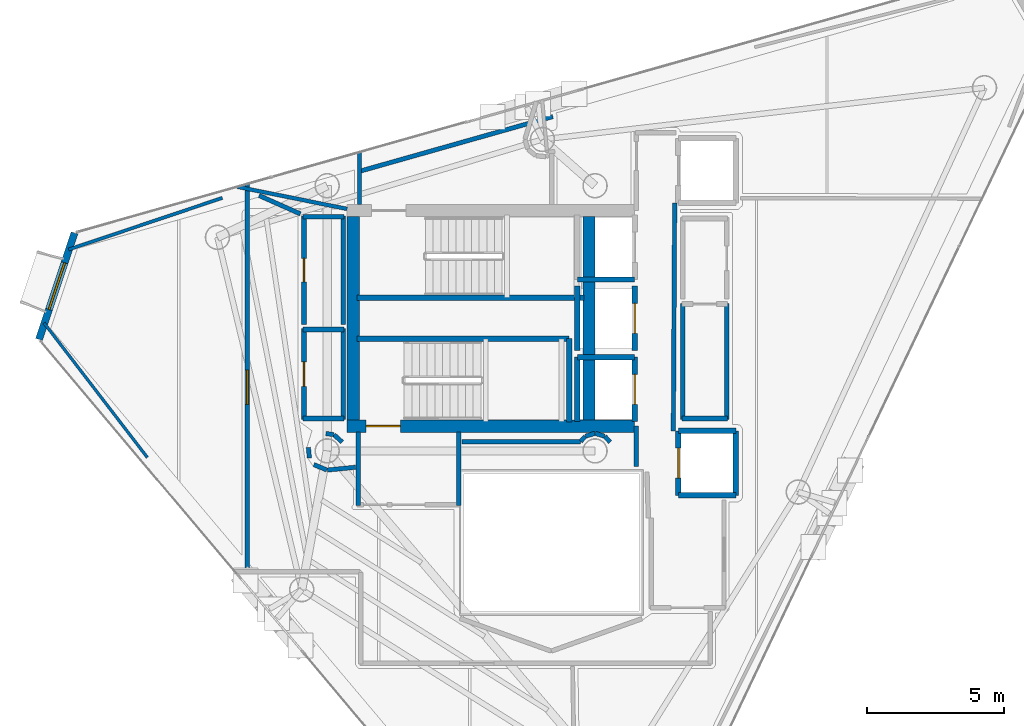
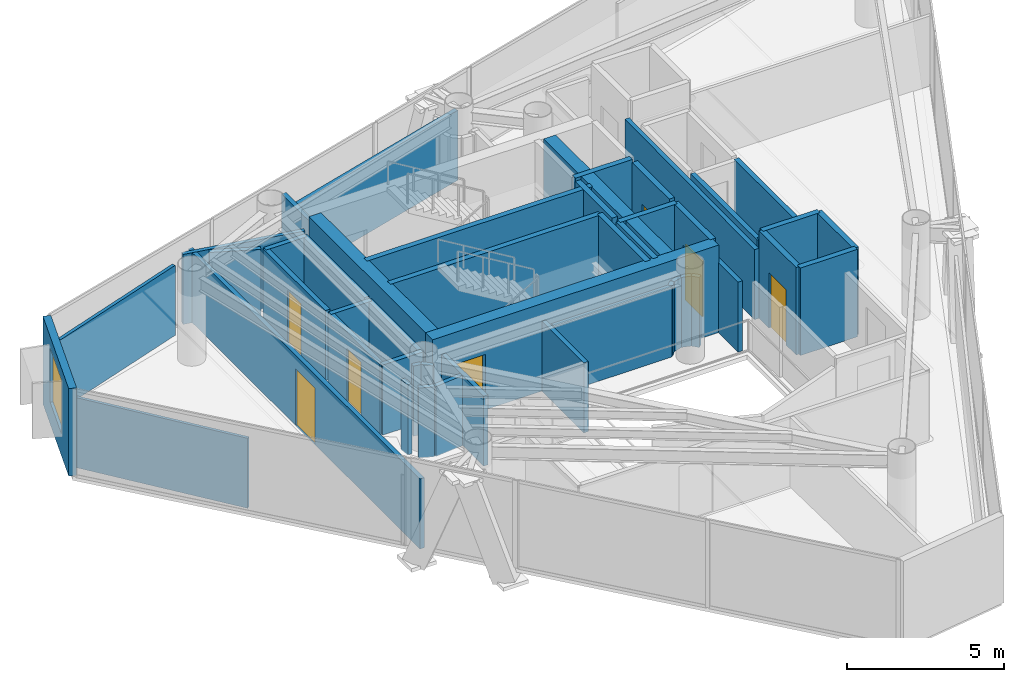
# One storey, part 17 of 20: 48 walls, 7 doors, 1 window, 8 openings.
"""IFC4 building model written with IfcOpenShell, lengths in metres."""

from ifc_helpers import new_model, si_unit, direction, frame, frame_2d, origin, place, context, subcontext, project, spatial, rectangle, extrude, material, layer, layer_set, type_object, element, fill, save


model = new_model("IFC4")

# Units and contexts
model_context = context("Model", 3, precision=1e-05, world=origin(), true_north=direction((0.0, 1.0)))
body_context = subcontext(model_context, "Body", "Model", "MODEL_VIEW")
ifc_project = project(units=[si_unit("LENGTHUNIT", "METRE"), si_unit("AREAUNIT", "SQUARE_METRE"), si_unit("VOLUMEUNIT", "CUBIC_METRE"), si_unit("PLANEANGLEUNIT", "RADIAN"), si_unit("MASSUNIT", "GRAM", prefix="KILO")], contexts=[model_context])

# Site, building, storey
site_placement = place(None, origin())
site = spatial("IfcSite", under=ifc_project, at=site_placement, CompositionType="ELEMENT")
building_placement = place(site_placement, origin())
building = spatial("IfcBuilding", under=site, at=building_placement, Name="Qianvela Tower", CompositionType="ELEMENT")
storey_placement = place(building_placement, frame((0.0, 0.0, 317.60009765625)))
storey = spatial("IfcBuildingStorey", under=building, at=storey_placement, Name="L82", CompositionType="ELEMENT", Elevation=317.60009765625)

# Wall, opening, window
ifc_material_1 = material(Name="Terracotta Cladding on Concrete C40", Category="masonry")
ifc_layer_1 = layer(ifc_material_1, 0.260009765625)
ifc_layer_set_1 = layer_set([ifc_layer_1], Name="Terracotta Cladding on Concrete C40")
wall_type_1 = type_object("IfcWallType", Name="TERRACOTTA-WALL-260", PredefinedType="SOLIDWALL", material=ifc_layer_set_1)
wall_1_placement = place(storey_placement, frame((19.3603515625, 31.82421875, 0.0), z_axis=(0.0, 0.0, 1.0), x_axis=(-0.316566733313, -0.948570241658, 0.0)))
wall_1 = element("IfcWall", 1, at=wall_1_placement, inside=storey, type_object=wall_type_1, Name="L82 Terracotta Chamfer Facet Wall 3", PredefinedType="SOLIDWALL", context=body_context, shape_type="SweptSolid", body=[
    extrude(rectangle(XDim=4.105224609375, YDim=0.260009765625, at=frame_2d((2.052734375, 0.0))), origin(), (0.0, 0.0, 1.0), 3.39990234375),
])
opening_1_placement = place(wall_1_placement, frame((1.152587890625, 0.0, 0.85009765625)))
opening_1 = element("IfcOpeningElement", 2, at=opening_1_placement, cuts=wall_1, Name="Opening W-01", PredefinedType="OPENING", context=body_context, shape_type="SweptSolid", body=[
    extrude(rectangle(XDim=1.800048828125, YDim=2.10009765625, at=frame_2d((0.89990234375, 1.050048828125))), frame((0.0, 0.139892578125, 0.0), z_axis=(0.0, -1.0, 0.0), x_axis=(1.0, 0.0, 0.0)), (0.0, 0.0, 1.0), 0.280029296875),
])
ifc_material_2 = material(Name="Thermally Broken Aluminium and Low-E Glass", Category="aluminium")
window_type = type_object("IfcWindowType", Name="WIN-TC-1800x2100", PartitioningType="DOUBLE_PANEL_VERTICAL", PredefinedType="WINDOW", material=ifc_material_2)
window_placement = place(opening_1_placement, origin())
window = element("IfcWindow", 3, at=window_placement, inside=storey, type_object=window_type, Name="L82 Chamfer Facet Window 3.1", OverallHeight=2.10009765625, OverallWidth=1.800048828125, PartitioningType="SINGLE_PANEL", PredefinedType="WINDOW", context=body_context, shape_type="SweptSolid", body=[
    extrude(rectangle(XDim=1.800048828125, YDim=2.10009765625, at=frame_2d((0.89990234375, 1.050048828125))), frame((0.0, 0.030029296875, 0.0), z_axis=(0.0, -1.0, 0.0), x_axis=(1.0, 0.0, 0.0)), (0.0, 0.0, 1.0), 0.06005859375),
])
fill(opening_1, window)

# Wall, opening, door
ifc_material_3 = material(Name="Concrete C50", Category="concrete")
ifc_layer_2 = layer(ifc_material_3, 0.449951171875)
ifc_layer_set_2 = layer_set([ifc_layer_2], Name="Concrete C50")
wall_type_2 = type_object("IfcWallType", Name="WT-CORE-450", PredefinedType="SHEAR", material=ifc_layer_set_2)
wall_2_placement = place(storey_placement, frame((29.330078125, 24.7548828125, 0.0), z_axis=(0.0, 0.0, 1.0), x_axis=(1.0, 0.0, 0.0)))
wall_2 = element("IfcWall", 4, at=wall_2_placement, inside=storey, type_object=wall_type_2, Name="L82 South Core Shear Wall", PredefinedType="SHEAR", context=body_context, shape_type="SweptSolid", body=[
    extrude(rectangle(XDim=10.52001953125, YDim=0.449951171875, at=frame_2d((5.260009765625, 0.0))), origin(), (0.0, 0.0, 1.0), 3.39990234375),
])
opening_2_placement = place(wall_2_placement, frame((0.695068359375, 0.0, 0.0)))
opening_2 = element("IfcOpeningElement", 5, at=opening_2_placement, cuts=wall_2, Name="Opening D-ST1", PredefinedType="OPENING", context=body_context, shape_type="SweptSolid", body=[
    extrude(rectangle(XDim=1.25, YDim=2.14990234375, at=frame_2d((0.625, 1.074951171875))), frame((0.0, 0.23486328125, 0.0), z_axis=(0.0, -1.0, 0.0), x_axis=(1.0, 0.0, 0.0)), (0.0, 0.0, 1.0), 0.469970703125),
])
ifc_material_4 = material(Name="Galvanised Fire Steel Q355B", Category="steel")
door_type_1 = type_object("IfcDoorType", Name="DT-STAIR-FD90", OperationType="NOTDEFINED", PredefinedType="DOOR", material=ifc_material_4)
door_1_placement = place(opening_2_placement, origin())
door_1 = element("IfcDoor", 6, at=door_1_placement, inside=storey, type_object=door_type_1, Name="L82 Stair ST-2 Exit Door", OperationType="SINGLE_SWING_RIGHT", OverallHeight=2.14990234375, OverallWidth=1.25, PredefinedType="DOOR", context=body_context, shape_type="SweptSolid", body=[
    extrude(rectangle(XDim=1.25, YDim=2.14990234375, at=frame_2d((0.625, 1.074951171875))), frame((0.0, 0.02490234375, 0.0), z_axis=(0.0, -1.0, 0.0), x_axis=(1.0, 0.0, 0.0)), (0.0, 0.0, 1.0), 0.050048828125),
])
fill(opening_2, door_1)

# Walls
for number, where, z_axis, x_axis, name in (
    (7, (29.554931640625, 24.97998046875, 0.0), (0.0, 0.0, 1.0), (0.0, 1.0, 0.0), "L82 West Core Shear Wall"),
    (8, (38.179931640625, 24.97998046875, 0.0), (0.0, 0.0, 1.0), (0.0, 1.0, 0.0), "L82 East Spine Core Shear Wall"),
):
    element("IfcWall", number, at=place(storey_placement, frame(where, z_axis=z_axis, x_axis=x_axis)), inside=storey, type_object=wall_type_2, Name=name, PredefinedType="SHEAR", context=body_context, shape_type="SweptSolid", body=[
        extrude(rectangle(XDim=7.43994140625, YDim=0.449951171875, at=frame_2d((3.719970703125, 0.0))), origin(), (0.0, 0.0, 1.0), 3.39990234375),
    ])
ifc_material_5 = material(Name="Fire-Rated Gypsum and Concrete Block", Category="concrete")
ifc_layer_3 = layer(ifc_material_5, 0.159912109375)
ifc_layer_set_3 = layer_set([ifc_layer_3], Name="Fire-Rated Gypsum and Concrete Block")
wall_type_3 = type_object("IfcWallType", Name="WT-CORR-160", PredefinedType="PARTITIONING", material=ifc_layer_set_3)
wall_3_placement = place(storey_placement, frame((29.781005859375, 32.85791015625, 0.0), z_axis=(0.0, 0.0, 1.0), x_axis=(0.0, 1.0, 0.0)))
element("IfcWall", 9, at=wall_3_placement, inside=storey, type_object=wall_type_3, Name="L82 Partition 11", PredefinedType="PARTITIONING", context=body_context, shape_type="SweptSolid", body=[
    extrude(rectangle(XDim=1.9365234375, YDim=0.159912109375, at=frame_2d((0.96826171875, 0.0))), origin(), (0.0, 0.0, 1.0), 2.719970703125),
])
wall_4_placement = place(storey_placement, frame((29.75830078125, 34.070556640625, 0.0), z_axis=(0.0, 0.0, 1.0), x_axis=(0.962177906446, 0.272421872006, 0.0)))
element("IfcWall", 10, at=wall_4_placement, inside=storey, type_object=wall_type_3, Name="L82 Partition 12", PredefinedType="PARTITIONING", context=body_context, shape_type="SweptSolid", body=[
    extrude(rectangle(XDim=7.379150390625, YDim=0.159912109375, at=frame_2d((3.689453125, 0.0))), origin(), (0.0, 0.0, 1.0), 2.719970703125),
])
for number, where, z_axis, x_axis, name in (
    (11, (29.73095703125, 21.85009765625, 0.0), (0.0, 0.0, 1.0), (0.0, 1.0, 0.0), "L82 Partition 14"),
    (12, (33.4189453125, 24.5419921875, 0.0), (0.0, 0.0, 1.0), (0.0, -1.0, 0.0), "L82 Partition 16"),
):
    element("IfcWall", number, at=place(storey_placement, frame(where, z_axis=z_axis, x_axis=x_axis)), inside=storey, type_object=wall_type_3, Name=name, PredefinedType="PARTITIONING", context=body_context, shape_type="SweptSolid", body=[
        extrude(rectangle(XDim=2.69189453125, YDim=0.159912109375, at=frame_2d((1.345947265625, 0.0))), origin(), (0.0, 0.0, 1.0), 2.719970703125),
    ])
wall_5_placement = place(storey_placement, frame((39.910888671875, 23.280029296875, 0.0), z_axis=(0.0, 0.0, 1.0), x_axis=(0.0, 1.0, 0.0)))
element("IfcWall", 13, at=wall_5_placement, inside=storey, type_object=wall_type_3, Name="L82 Partition 18", PredefinedType="PARTITIONING", context=body_context, shape_type="SweptSolid", body=[
    extrude(rectangle(XDim=1.47998046875, YDim=0.159912109375, at=frame_2d((0.739990234375, 0.0))), origin(), (0.0, 0.0, 1.0), 2.719970703125),
])
wall_6_placement = place(storey_placement, frame((41.3134765625, 32.919921875, 0.0), z_axis=(0.0, 0.0, 1.0), x_axis=(-0.005942518022, -0.999982343084, 0.0)))
element("IfcWall", 14, at=wall_6_placement, inside=storey, type_object=wall_type_3, Name="L82 Partition 22 seg 2", PredefinedType="PARTITIONING", context=body_context, shape_type="SweptSolid", body=[
    extrude(rectangle(XDim=8.340087890625, YDim=0.159912109375, at=frame_2d((4.169921875, 0.0))), origin(), (0.0, 0.0, 1.0), 2.719970703125),
])
wall_7_placement = place(storey_placement, frame((29.148681640625, 24.173095703125, 0.0), z_axis=(0.0, 0.0, 1.0), x_axis=(-0.745225165416, 0.666812906917, 0.0)))
element("IfcWall", 15, at=wall_7_placement, inside=storey, type_object=wall_type_3, Name="L82 Partition 47", PredefinedType="PARTITIONING", context=body_context, shape_type="SweptSolid", body=[
    extrude(rectangle(XDim=0.3955078125, YDim=0.159912109375, at=frame_2d((0.19775390625, 0.0))), origin(), (0.0, 0.0, 1.0), 2.719970703125),
])
wall_8_placement = place(storey_placement, frame((28.837890625, 24.444091796875, 0.0), z_axis=(0.0, 0.0, 1.0), x_axis=(-0.989449148305, 0.144880581578, 0.0)))
element("IfcWall", 16, at=wall_8_placement, inside=storey, type_object=wall_type_3, Name="L82 Partition 48", PredefinedType="PARTITIONING", context=body_context, shape_type="SweptSolid", body=[
    extrude(rectangle(XDim=0.286376953125, YDim=0.159912109375, at=frame_2d((0.14306640625, 0.0))), origin(), (0.0, 0.0, 1.0), 2.719970703125),
])
wall_9_placement = place(storey_placement, frame((38.950927734375, 24.1708984375, 0.0), z_axis=(0.0, 0.0, 1.0), x_axis=(-0.674186852077, 0.738560822469, 0.0)))
element("IfcWall", 17, at=wall_9_placement, inside=storey, type_object=wall_type_3, Name="L82 Partition 57", PredefinedType="PARTITIONING", context=body_context, shape_type="SweptSolid", body=[
    extrude(rectangle(XDim=0.28076171875, YDim=0.159912109375, at=frame_2d((0.140380859375, 0.0))), origin(), (0.0, 0.0, 1.0), 2.719970703125),
])
wall_10_placement = place(storey_placement, frame((38.747802734375, 24.386962890625, 0.0), z_axis=(0.0, 0.0, 1.0), x_axis=(-0.956948991291, 0.290256142171, 0.0)))
element("IfcWall", 18, at=wall_10_placement, inside=storey, type_object=wall_type_3, Name="L82 Partition 58", PredefinedType="PARTITIONING", context=body_context, shape_type="SweptSolid", body=[
    extrude(rectangle(XDim=0.35400390625, YDim=0.159912109375, at=frame_2d((0.177001953125, 0.0))), origin(), (0.0, 0.0, 1.0), 2.719970703125),
])
wall_11_placement = place(storey_placement, frame((38.39111328125, 24.48974609375, 0.0), z_axis=(0.0, 0.0, 1.0), x_axis=(-0.957007018611, -0.290064762301, 0.0)))
element("IfcWall", 19, at=wall_11_placement, inside=storey, type_object=wall_type_3, Name="L82 Partition 59", PredefinedType="PARTITIONING", context=body_context, shape_type="SweptSolid", body=[
    extrude(rectangle(XDim=0.354248046875, YDim=0.159912109375, at=frame_2d((0.17724609375, 0.0))), origin(), (0.0, 0.0, 1.0), 2.719970703125),
])
wall_12_placement = place(storey_placement, frame((38.0380859375, 24.378173828125, 0.0), z_axis=(0.0, 0.0, 1.0), x_axis=(-0.673658387955, -0.739042878551, 0.0)))
element("IfcWall", 20, at=wall_12_placement, inside=storey, type_object=wall_type_3, Name="L82 Partition 60", PredefinedType="PARTITIONING", context=body_context, shape_type="SweptSolid", body=[
    extrude(rectangle(XDim=0.246337890625, YDim=0.159912109375, at=frame_2d((0.123046875, 0.0))), origin(), (0.0, 0.0, 1.0), 2.719970703125),
])
wall_13_placement = place(storey_placement, frame((37.8720703125, 24.180908203125, 0.0), z_axis=(0.0, 0.0, 1.0), x_axis=(-1.0, 0.0, 0.0)))
element("IfcWall", 21, at=wall_13_placement, inside=storey, type_object=wall_type_3, Name="L82 Partition 61", PredefinedType="PARTITIONING", context=body_context, shape_type="SweptSolid", body=[
    extrude(rectangle(XDim=4.342041015625, YDim=0.159912109375, at=frame_2d((2.1708984375, 0.0))), origin(), (0.0, 0.0, 1.0), 2.719970703125),
])
wall_14_placement = place(storey_placement, frame((26.109619140625, 33.1923828125, 0.0), z_axis=(0.0, 0.0, 1.0), x_axis=(0.913360499666, -0.407151811553, 0.0)))
element("IfcWall", 22, at=wall_14_placement, inside=storey, type_object=wall_type_3, Name="L82 Partition 62", PredefinedType="PARTITIONING", context=body_context, shape_type="SweptSolid", body=[
    extrude(rectangle(XDim=1.65380859375, YDim=0.159912109375, at=frame_2d((0.826904296875, 0.0))), origin(), (0.0, 0.0, 1.0), 2.719970703125),
])
wall_15_placement = place(storey_placement, frame((27.912109375, 23.977783203125, 0.0), z_axis=(0.0, 0.0, 1.0), x_axis=(0.097888269922, -0.995197410875, 0.0)))
element("IfcWall", 23, at=wall_15_placement, inside=storey, type_object=wall_type_3, Name="L82 Partition 64", PredefinedType="PARTITIONING", context=body_context, shape_type="SweptSolid", body=[
    extrude(rectangle(XDim=0.38916015625, YDim=0.159912109375, at=frame_2d((0.194580078125, 0.0))), origin(), (0.0, 0.0, 1.0), 2.719970703125),
])
wall_16_placement = place(storey_placement, frame((28.114501953125, 23.34765625, 0.0), z_axis=(0.0, 0.0, 1.0), x_axis=(0.923807847969, -0.382856448334, 0.0)))
element("IfcWall", 24, at=wall_16_placement, inside=storey, type_object=wall_type_3, Name="L82 Partition 65", PredefinedType="PARTITIONING", context=body_context, shape_type="SweptSolid", body=[
    extrude(rectangle(XDim=0.5126953125, YDim=0.159912109375, at=frame_2d((0.25634765625, 0.0))), origin(), (0.0, 0.0, 1.0), 2.719970703125),
])
wall_17_placement = place(storey_placement, frame((28.60302734375, 23.149169921875, 0.0), z_axis=(0.0, 0.0, 1.0), x_axis=(0.995179827095, 0.098066873836, 0.0)))
element("IfcWall", 25, at=wall_17_placement, inside=storey, type_object=wall_type_3, Name="L82 Partition 66", PredefinedType="PARTITIONING", context=body_context, shape_type="SweptSolid", body=[
    extrude(rectangle(XDim=1.043212890625, YDim=0.159912109375, at=frame_2d((0.521484375, 0.0))), origin(), (0.0, 0.0, 1.0), 2.719970703125),
])

# Wall, opening, door
wall_18_placement = place(storey_placement, frame((25.680908203125, 18.880126953125, 0.0), z_axis=(0.0, 0.0, 1.0), x_axis=(0.0, 1.0, 0.0)))
wall_18 = element("IfcWall", 26, at=wall_18_placement, inside=storey, type_object=wall_type_3, Name="L82 Partition 76", PredefinedType="PARTITIONING", context=body_context, shape_type="SweptSolid", body=[
    extrude(rectangle(XDim=14.753662109375, YDim=0.159912109375, at=frame_2d((7.376953125, 0.0))), origin(), (0.0, 0.0, 1.0), 2.719970703125),
])
opening_3_placement = place(wall_18_placement, frame((6.674072265625, 0.0, 0.0)))
opening_3 = element("IfcOpeningElement", 27, at=opening_3_placement, cuts=wall_18, Name="Opening D-LG1", PredefinedType="OPENING", context=body_context, shape_type="SweptSolid", body=[
    extrude(rectangle(XDim=1.25, YDim=2.199951171875, at=frame_2d((0.625, 1.10009765625))), frame((0.0, 0.08984375, 0.0), z_axis=(0.0, -1.0, 0.0), x_axis=(1.0, 0.0, 0.0)), (0.0, 0.0, 1.0), 0.179931640625),
])
ifc_material_6 = material(Name="Anodised Aluminium Acoustic Glass Door", Category="aluminium")
door_type_2 = type_object("IfcDoorType", Name="DT-LOUNGE-1250", OperationType="NOTDEFINED", PredefinedType="DOOR", material=ifc_material_6)
door_2_placement = place(opening_3_placement, origin())
door_2 = element("IfcDoor", 28, at=door_2_placement, inside=storey, type_object=door_type_2, Name="L82 Door Social Sitting Lounge L82-03 to L82 Floor Corridor", OperationType="SINGLE_SWING_LEFT", OverallHeight=2.199951171875, OverallWidth=1.25, PredefinedType="DOOR", context=body_context, shape_type="SweptSolid", body=[
    extrude(rectangle(XDim=1.25, YDim=2.199951171875, at=frame_2d((0.625, 1.10009765625))), frame((0.0, 0.02490234375, 0.0), z_axis=(0.0, -1.0, 0.0), x_axis=(1.0, 0.0, 0.0)), (0.0, 0.0, 1.0), 0.050048828125),
])
fill(opening_3, door_2)

# Walls
ifc_material_7 = material(Name="Lightweight Gypsum Room Partition")
ifc_layer_4 = layer(ifc_material_7, 0.10498046875)
ifc_layer_set_4 = layer_set([ifc_layer_4], Name="Lightweight Gypsum Room Partition")
wall_type_4 = type_object("IfcWallType", Name="WT-PART-105", PredefinedType="PARTITIONING", material=ifc_layer_set_4)
wall_19_placement = place(storey_placement, frame((22.021484375, 23.609130859375, 0.0), z_axis=(0.0, 0.0, 1.0), x_axis=(-0.609046833967, 0.793134259779, 0.0)))
element("IfcWall", 29, at=wall_19_placement, inside=storey, type_object=wall_type_4, Name="L82 Partition 99 seg 1", PredefinedType="PARTITIONING", context=body_context, shape_type="SweptSolid", body=[
    extrude(rectangle(XDim=6.2041015625, YDim=0.10498046875, at=frame_2d((3.10205078125, 0.0))), origin(), (0.0, 0.0, 1.0), 2.719970703125),
])
ifc_material_8 = material(Name="Insulated Gypsum Stud Partition")
ifc_layer_5 = layer(ifc_material_8, 0.1201171875)
ifc_layer_set_5 = layer_set([ifc_layer_5], Name="Insulated Gypsum Stud Partition")
wall_type_5 = type_object("IfcWallType", Name="WT-PART-120", PredefinedType="PARTITIONING", material=ifc_layer_set_5)
wall_20_placement = place(storey_placement, frame((19.1396484375, 31.215087890625, 0.0), z_axis=(0.0, 0.0, 1.0), x_axis=(0.947936140825, 0.318460473086, 0.0)))
element("IfcWall", 30, at=wall_20_placement, inside=storey, type_object=wall_type_5, Name="L82 Partition 101 seg 1", PredefinedType="PARTITIONING", context=body_context, shape_type="SweptSolid", body=[
    extrude(rectangle(XDim=5.935302734375, YDim=0.1201171875, at=frame_2d((2.9677734375, 0.0))), origin(), (0.0, 0.0, 1.0), 2.719970703125),
])
ifc_material_9 = material(Name="Moisture-Resistant Acoustic Plumbing Wall")
ifc_layer_6 = layer(ifc_material_9, 0.175048828125)
ifc_layer_set_6 = layer_set([ifc_layer_6], Name="Moisture-Resistant Acoustic Plumbing Wall")
wall_type_6 = type_object("IfcWallType", Name="WT-PLUMB-175", PredefinedType="PLUMBINGWALL", material=ifc_layer_set_6)
wall_21_placement = place(storey_placement, frame((43.25, 25.031005859375, 0.0), z_axis=(0.0, 0.0, 1.0), x_axis=(-1.0, 0.0, 0.0)))
element("IfcWall", 31, at=wall_21_placement, inside=storey, type_object=wall_type_6, Name="L82 Partition 27", PredefinedType="PLUMBINGWALL", context=body_context, shape_type="SweptSolid", body=[
    extrude(rectangle(XDim=1.669921875, YDim=0.175048828125, at=frame_2d((0.8349609375, 0.0))), origin(), (0.0, 0.0, 1.0), 2.719970703125),
])
for number, where, z_axis, x_axis, name in (
    (32, (41.611083984375, 25.0, 0.0), (0.0, 0.0, 1.0), (0.0, 1.0, 0.0), "L82 Partition 28"),
    (33, (43.218994140625, 29.25, 0.0), (0.0, 0.0, 1.0), (0.0, -1.0, 0.0), "L82 Partition 30"),
):
    element("IfcWall", number, at=place(storey_placement, frame(where, z_axis=z_axis, x_axis=x_axis)), inside=storey, type_object=wall_type_6, Name=name, PredefinedType="PLUMBINGWALL", context=body_context, shape_type="SweptSolid", body=[
        extrude(rectangle(XDim=4.25, YDim=0.175048828125, at=frame_2d((2.125, 0.0))), origin(), (0.0, 0.0, 1.0), 2.719970703125),
    ])

# Wall, opening, door
wall_22_placement = place(storey_placement, frame((27.7509765625, 25.0, 0.0), z_axis=(0.0, 0.0, 1.0), x_axis=(0.0, 1.0, 0.0)))
wall_22 = element("IfcWall", 34, at=wall_22_placement, inside=storey, type_object=wall_type_6, Name="L82 Partition 35", PredefinedType="PLUMBINGWALL", context=body_context, shape_type="SweptSolid", body=[
    extrude(rectangle(XDim=3.320068359375, YDim=0.175048828125, at=frame_2d((1.66015625, 0.0))), origin(), (0.0, 0.0, 1.0), 2.719970703125),
])
opening_4_placement = place(wall_22_placement, frame((1.2099609375, 0.0, 0.0)))
opening_4 = element("IfcOpeningElement", 35, at=opening_4_placement, cuts=wall_22, Name="Opening D-KT1", PredefinedType="OPENING", context=body_context, shape_type="SweptSolid", body=[
    extrude(rectangle(XDim=0.89990234375, YDim=2.10009765625, at=frame_2d((0.449951171875, 1.050048828125))), frame((0.0, 0.097412109375, 0.0), z_axis=(0.0, -1.0, 0.0), x_axis=(1.0, 0.0, 0.0)), (0.0, 0.0, 1.0), 0.195068359375),
])
ifc_material_10 = material(Name="Glazed Timber Kitchen Door", Category="wood")
door_type_3 = type_object("IfcDoorType", Name="DT-KITCH-900", OperationType="NOTDEFINED", PredefinedType="DOOR", material=ifc_material_10)
door_3_placement = place(opening_4_placement, origin())
door_3 = element("IfcDoor", 36, at=door_3_placement, inside=storey, type_object=door_type_3, Name="L82 Door L82 Core Tea Pantry West to L82 Floor Corridor", OperationType="SINGLE_SWING_RIGHT", OverallHeight=2.10009765625, OverallWidth=0.89990234375, PredefinedType="DOOR", context=body_context, shape_type="SweptSolid", body=[
    extrude(rectangle(XDim=0.89990234375, YDim=2.10009765625, at=frame_2d((0.449951171875, 1.050048828125))), frame((0.0, 0.02490234375, 0.0), z_axis=(0.0, -1.0, 0.0), x_axis=(1.0, 0.0, 0.0)), (0.0, 0.0, 1.0), 0.050048828125),
])
fill(opening_4, door_3)

# Walls
wall_23_placement = place(storey_placement, frame((27.719970703125, 28.2890625, 0.0), z_axis=(0.0, 0.0, 1.0), x_axis=(1.0, 0.0, 0.0)))
element("IfcWall", 37, at=wall_23_placement, inside=storey, type_object=wall_type_6, Name="L82 Partition 36", PredefinedType="PLUMBINGWALL", context=body_context, shape_type="SweptSolid", body=[
    extrude(rectangle(XDim=1.5, YDim=0.175048828125, at=frame_2d((0.75, 0.0))), origin(), (0.0, 0.0, 1.0), 2.719970703125),
])
wall_24_placement = place(storey_placement, frame((29.18896484375, 28.320068359375, 0.0), z_axis=(0.0, 0.0, 1.0), x_axis=(0.0, -1.0, 0.0)))
element("IfcWall", 38, at=wall_24_placement, inside=storey, type_object=wall_type_6, Name="L82 Partition 37", PredefinedType="PLUMBINGWALL", context=body_context, shape_type="SweptSolid", body=[
    extrude(rectangle(XDim=3.320068359375, YDim=0.175048828125, at=frame_2d((1.66015625, 0.0))), origin(), (0.0, 0.0, 1.0), 2.719970703125),
])
wall_25_placement = place(storey_placement, frame((29.219970703125, 25.031005859375, 0.0), z_axis=(0.0, 0.0, 1.0), x_axis=(-1.0, 0.0, 0.0)))
element("IfcWall", 39, at=wall_25_placement, inside=storey, type_object=wall_type_6, Name="L82 Partition 38", PredefinedType="PLUMBINGWALL", context=body_context, shape_type="SweptSolid", body=[
    extrude(rectangle(XDim=1.5, YDim=0.175048828125, at=frame_2d((0.75, 0.0))), origin(), (0.0, 0.0, 1.0), 2.719970703125),
])

# Wall, opening, door
wall_26_placement = place(storey_placement, frame((27.7509765625, 28.47998046875, 0.0), z_axis=(0.0, 0.0, 1.0), x_axis=(0.0, 1.0, 0.0)))
wall_26 = element("IfcWall", 40, at=wall_26_placement, inside=storey, type_object=wall_type_6, Name="L82 Partition 39", PredefinedType="PLUMBINGWALL", context=body_context, shape_type="SweptSolid", body=[
    extrude(rectangle(XDim=3.969970703125, YDim=0.175048828125, at=frame_2d((1.98486328125, 0.0))), origin(), (0.0, 0.0, 1.0), 2.719970703125),
])
opening_5_placement = place(wall_26_placement, frame((1.554931640625, 0.0, 0.0)))
opening_5 = element("IfcOpeningElement", 41, at=opening_5_placement, cuts=wall_26, Name="Opening D-WC1", PredefinedType="OPENING", context=body_context, shape_type="SweptSolid", body=[
    extrude(rectangle(XDim=0.860107421875, YDim=2.050048828125, at=frame_2d((0.43017578125, 1.02490234375))), frame((0.0, 0.097412109375, 0.0), z_axis=(0.0, -1.0, 0.0), x_axis=(1.0, 0.0, 0.0)), (0.0, 0.0, 1.0), 0.195068359375),
])
ifc_material_11 = material(Name="Moisture-Sealed Acoustic Timber Door", Category="wood")
door_type_4 = type_object("IfcDoorType", Name="DT-WC-860", OperationType="NOTDEFINED", PredefinedType="DOOR", material=ifc_material_11)
door_4_placement = place(opening_5_placement, origin())
door_4 = element("IfcDoor", 42, at=door_4_placement, inside=storey, type_object=door_type_4, Name="L82 Door L82 Accessible WC to L82 Floor Corridor", OperationType="SINGLE_SWING_LEFT", OverallHeight=2.050048828125, OverallWidth=0.860107421875, PredefinedType="DOOR", context=body_context, shape_type="SweptSolid", body=[
    extrude(rectangle(XDim=0.860107421875, YDim=2.050048828125, at=frame_2d((0.43017578125, 1.02490234375))), frame((0.0, 0.02490234375, 0.0), z_axis=(0.0, -1.0, 0.0), x_axis=(1.0, 0.0, 0.0)), (0.0, 0.0, 1.0), 0.050048828125),
])
fill(opening_5, door_4)

# Walls
wall_27_placement = place(storey_placement, frame((27.719970703125, 32.4189453125, 0.0), z_axis=(0.0, 0.0, 1.0), x_axis=(1.0, 0.0, 0.0)))
element("IfcWall", 43, at=wall_27_placement, inside=storey, type_object=wall_type_6, Name="L82 Partition 40", PredefinedType="PLUMBINGWALL", context=body_context, shape_type="SweptSolid", body=[
    extrude(rectangle(XDim=1.5, YDim=0.175048828125, at=frame_2d((0.75, 0.0))), origin(), (0.0, 0.0, 1.0), 2.719970703125),
])
wall_28_placement = place(storey_placement, frame((29.18896484375, 32.449951171875, 0.0), z_axis=(0.0, 0.0, 1.0), x_axis=(0.0, -1.0, 0.0)))
element("IfcWall", 44, at=wall_28_placement, inside=storey, type_object=wall_type_6, Name="L82 Partition 41", PredefinedType="PLUMBINGWALL", context=body_context, shape_type="SweptSolid", body=[
    extrude(rectangle(XDim=3.969970703125, YDim=0.175048828125, at=frame_2d((1.98486328125, 0.0))), origin(), (0.0, 0.0, 1.0), 2.719970703125),
])
ifc_material_12 = material(Name="Acoustic Double Gypsum Stud Partition")
ifc_layer_7 = layer(ifc_material_12, 0.139892578125)
ifc_layer_set_7 = layer_set([ifc_layer_7], Name="Acoustic Double Gypsum Stud Partition")
wall_type_7 = type_object("IfcWallType", Name="WT-ROOM-140", PredefinedType="PARTITIONING", material=ifc_layer_set_7)
wall_29_placement = place(storey_placement, frame((29.330078125, 32.701171875, 0.0), z_axis=(0.0, 0.0, 1.0), x_axis=(-0.980269851438, 0.197663902525, 0.0)))
element("IfcWall", 45, at=wall_29_placement, inside=storey, type_object=wall_type_7, Name="L82 Partition 97", PredefinedType="PARTITIONING", context=body_context, shape_type="SweptSolid", body=[
    extrude(rectangle(XDim=4.094482421875, YDim=0.139892578125, at=frame_2d((2.04736328125, 0.0))), origin(), (0.0, 0.0, 1.0), 2.719970703125),
])
ifc_material_13 = material(Name="Concrete C50", Category="concrete")
ifc_layer_8 = layer(ifc_material_13, 0.199951171875)
ifc_layer_set_8 = layer_set([ifc_layer_8], Name="Concrete C50")
wall_type_8 = type_object("IfcWallType", Name="WT-SHAFT-200", PredefinedType="SOLIDWALL", material=ifc_layer_set_8)
wall_30_placement = place(storey_placement, frame((29.699951171875, 29.449951171875, 0.0), z_axis=(0.0, 0.0, 1.0), x_axis=(1.0, 0.0, 0.0)))
element("IfcWall", 46, at=wall_30_placement, inside=storey, type_object=wall_type_8, Name="L82 Stair ST-1 South Wall", PredefinedType="SOLIDWALL", context=body_context, shape_type="SweptSolid", body=[
    extrude(rectangle(XDim=8.300048828125, YDim=0.199951171875, at=frame_2d((4.14990234375, 0.0))), origin(), (0.0, 0.0, 1.0), 3.39990234375),
])
wall_31_placement = place(storey_placement, frame((29.699951171875, 27.9599609375, 0.0), z_axis=(0.0, 0.0, 1.0), x_axis=(1.0, 0.0, 0.0)))
element("IfcWall", 47, at=wall_31_placement, inside=storey, type_object=wall_type_8, Name="L82 Stair ST-2 North Wall", PredefinedType="SOLIDWALL", context=body_context, shape_type="SweptSolid", body=[
    extrude(rectangle(XDim=7.75, YDim=0.199951171875, at=frame_2d((3.875, 0.0))), origin(), (0.0, 0.0, 1.0), 3.39990234375),
])
wall_32_placement = place(storey_placement, frame((37.449951171875, 24.89990234375, 0.0), z_axis=(0.0, 0.0, 1.0), x_axis=(0.0, 1.0, 0.0)))
element("IfcWall", 48, at=wall_32_placement, inside=storey, type_object=wall_type_8, Name="L82 Stair ST-2 East Wall", PredefinedType="SOLIDWALL", context=body_context, shape_type="SweptSolid", body=[
    extrude(rectangle(XDim=3.06005859375, YDim=0.199951171875, at=frame_2d((1.530029296875, 0.0))), origin(), (0.0, 0.0, 1.0), 3.39990234375),
])
wall_33_placement = place(storey_placement, frame((37.75, 30.1201171875, 0.0), z_axis=(0.0, 0.0, 1.0), x_axis=(1.0, 0.0, 0.0)))
element("IfcWall", 49, at=wall_33_placement, inside=storey, type_object=wall_type_8, Name="L82 Lift FL-1 S Shaft Wall", PredefinedType="SOLIDWALL", context=body_context, shape_type="SweptSolid", body=[
    extrude(rectangle(XDim=2.10009765625, YDim=0.199951171875, at=frame_2d((1.050048828125, 0.0))), origin(), (0.0, 0.0, 1.0), 3.39990234375),
])

# Wall, opening, door
wall_34_placement = place(storey_placement, frame((39.85009765625, 24.919921875, 0.0), z_axis=(0.0, 0.0, 1.0), x_axis=(0.0, 1.0, 0.0)))
wall_34 = element("IfcWall", 50, at=wall_34_placement, inside=storey, type_object=wall_type_8, Name="L82 Lift FL-2 E Shaft Wall", PredefinedType="SOLIDWALL", context=body_context, shape_type="SweptSolid", body=[
    extrude(rectangle(XDim=2.360107421875, YDim=0.199951171875, at=frame_2d((1.18017578125, 0.0))), origin(), (0.0, 0.0, 1.0), 3.39990234375),
])
opening_6_placement = place(wall_34_placement, frame((0.6298828125, 0.0, 0.0)))
opening_6 = element("IfcOpeningElement", 51, at=opening_6_placement, cuts=wall_34, Name="Opening LD-01", PredefinedType="OPENING", context=body_context, shape_type="SweptSolid", body=[
    extrude(rectangle(XDim=1.10009765625, YDim=2.14990234375, at=frame_2d((0.550048828125, 1.074951171875))), frame((0.0, 0.10986328125, 0.0), z_axis=(0.0, -1.0, 0.0), x_axis=(1.0, 0.0, 0.0)), (0.0, 0.0, 1.0), 0.219970703125),
])
ifc_material_14 = material(Name="Brushed Stainless Steel Lift Landing Door", Category="steel")
door_type_5 = type_object("IfcDoorType", Name="DT-LIFT-SLIDE-1100", OperationType="SLIDING_TO_LEFT", PredefinedType="DOOR", material=ifc_material_14)
door_5_placement = place(opening_6_placement, origin())
door_5 = element("IfcDoor", 52, at=door_5_placement, inside=storey, type_object=door_type_5, Name="L82 Lift FL-2 Sliding Landing Door", OperationType="SLIDING_TO_LEFT", OverallHeight=2.14990234375, OverallWidth=1.10009765625, PredefinedType="DOOR", context=body_context, shape_type="SweptSolid", body=[
    extrude(rectangle(XDim=1.10009765625, YDim=2.14990234375, at=frame_2d((0.550048828125, 1.074951171875))), frame((0.0, 0.02490234375, 0.0), z_axis=(0.0, -1.0, 0.0), x_axis=(1.0, 0.0, 0.0)), (0.0, 0.0, 1.0), 0.050048828125),
])
fill(opening_6, door_5)

# Walls
wall_35_placement = place(storey_placement, frame((37.75, 24.919921875, 0.0), z_axis=(0.0, 0.0, 1.0), x_axis=(0.0, 1.0, 0.0)))
element("IfcWall", 53, at=wall_35_placement, inside=storey, type_object=wall_type_8, Name="L82 Lift FL-2 W Shaft Wall", PredefinedType="SOLIDWALL", context=body_context, shape_type="SweptSolid", body=[
    extrude(rectangle(XDim=2.360107421875, YDim=0.199951171875, at=frame_2d((1.18017578125, 0.0))), origin(), (0.0, 0.0, 1.0), 3.39990234375),
])
wall_36_placement = place(storey_placement, frame((37.75, 27.280029296875, 0.0), z_axis=(0.0, 0.0, 1.0), x_axis=(1.0, 0.0, 0.0)))
element("IfcWall", 54, at=wall_36_placement, inside=storey, type_object=wall_type_8, Name="L82 Lift FL-2 N Shaft Wall", PredefinedType="SOLIDWALL", context=body_context, shape_type="SweptSolid", body=[
    extrude(rectangle(XDim=2.10009765625, YDim=0.199951171875, at=frame_2d((1.050048828125, 0.0))), origin(), (0.0, 0.0, 1.0), 3.39990234375),
])

# Wall, opening, door
wall_37_placement = place(storey_placement, frame((39.85009765625, 27.52001953125, 0.0), z_axis=(0.0, 0.0, 1.0), x_axis=(0.0, 1.0, 0.0)))
wall_37 = element("IfcWall", 55, at=wall_37_placement, inside=storey, type_object=wall_type_8, Name="L82 Lift PL-H1 E Shaft Wall", PredefinedType="SOLIDWALL", context=body_context, shape_type="SweptSolid", body=[
    extrude(rectangle(XDim=2.35986328125, YDim=0.199951171875, at=frame_2d((1.179931640625, 0.0))), origin(), (0.0, 0.0, 1.0), 3.39990234375),
])
opening_7_placement = place(wall_37_placement, frame((0.6298828125, 0.0, 0.0)))
opening_7 = element("IfcOpeningElement", 56, at=opening_7_placement, cuts=wall_37, Name="Opening LD-01", PredefinedType="OPENING", context=body_context, shape_type="SweptSolid", body=[
    extrude(rectangle(XDim=1.10009765625, YDim=2.14990234375, at=frame_2d((0.550048828125, 1.074951171875))), frame((0.0, 0.10986328125, 0.0), z_axis=(0.0, -1.0, 0.0), x_axis=(1.0, 0.0, 0.0)), (0.0, 0.0, 1.0), 0.219970703125),
])
door_6_placement = place(opening_7_placement, origin())
door_6 = element("IfcDoor", 57, at=door_6_placement, inside=storey, type_object=door_type_5, Name="L82 Lift PL-H1 Sliding Landing Door", OperationType="SLIDING_TO_LEFT", OverallHeight=2.14990234375, OverallWidth=1.10009765625, PredefinedType="DOOR", context=body_context, shape_type="SweptSolid", body=[
    extrude(rectangle(XDim=1.10009765625, YDim=2.14990234375, at=frame_2d((0.550048828125, 1.074951171875))), frame((0.0, 0.02490234375, 0.0), z_axis=(0.0, -1.0, 0.0), x_axis=(1.0, 0.0, 0.0)), (0.0, 0.0, 1.0), 0.050048828125),
])
fill(opening_7, door_6)

# Walls
wall_38_placement = place(storey_placement, frame((37.75, 27.52001953125, 0.0), z_axis=(0.0, 0.0, 1.0), x_axis=(0.0, 1.0, 0.0)))
element("IfcWall", 58, at=wall_38_placement, inside=storey, type_object=wall_type_8, Name="L82 Lift PL-H1 W Shaft Wall", PredefinedType="SOLIDWALL", context=body_context, shape_type="SweptSolid", body=[
    extrude(rectangle(XDim=2.35986328125, YDim=0.199951171875, at=frame_2d((1.179931640625, 0.0))), origin(), (0.0, 0.0, 1.0), 3.39990234375),
])
wall_39_placement = place(storey_placement, frame((43.550048828125, 22.219970703125, 0.0), z_axis=(0.0, 0.0, 1.0), x_axis=(0.0, 1.0, 0.0)))
element("IfcWall", 59, at=wall_39_placement, inside=storey, type_object=wall_type_8, Name="L82 Lift PL-H2 E Shaft Wall", PredefinedType="SOLIDWALL", context=body_context, shape_type="SweptSolid", body=[
    extrude(rectangle(XDim=2.360107421875, YDim=0.199951171875, at=frame_2d((1.18017578125, 0.0))), origin(), (0.0, 0.0, 1.0), 3.39990234375),
])

# Wall, opening, door
wall_40_placement = place(storey_placement, frame((41.449951171875, 22.219970703125, 0.0), z_axis=(0.0, 0.0, 1.0), x_axis=(0.0, 1.0, 0.0)))
wall_40 = element("IfcWall", 60, at=wall_40_placement, inside=storey, type_object=wall_type_8, Name="L82 Lift PL-H2 W Shaft Wall", PredefinedType="SOLIDWALL", context=body_context, shape_type="SweptSolid", body=[
    extrude(rectangle(XDim=2.360107421875, YDim=0.199951171875, at=frame_2d((1.18017578125, 0.0))), origin(), (0.0, 0.0, 1.0), 3.39990234375),
])
opening_8_placement = place(wall_40_placement, frame((0.6298828125, 0.0, 0.0)))
opening_8 = element("IfcOpeningElement", 61, at=opening_8_placement, cuts=wall_40, Name="Opening LD-01", PredefinedType="OPENING", context=body_context, shape_type="SweptSolid", body=[
    extrude(rectangle(XDim=1.10009765625, YDim=2.14990234375, at=frame_2d((0.550048828125, 1.074951171875))), frame((0.0, 0.10986328125, 0.0), z_axis=(0.0, -1.0, 0.0), x_axis=(1.0, 0.0, 0.0)), (0.0, 0.0, 1.0), 0.219970703125),
])
door_7_placement = place(opening_8_placement, origin())
door_7 = element("IfcDoor", 62, at=door_7_placement, inside=storey, type_object=door_type_5, Name="L82 Lift PL-H2 Sliding Landing Door", OperationType="SLIDING_TO_LEFT", OverallHeight=2.14990234375, OverallWidth=1.10009765625, PredefinedType="DOOR", context=body_context, shape_type="SweptSolid", body=[
    extrude(rectangle(XDim=1.10009765625, YDim=2.14990234375, at=frame_2d((0.550048828125, 1.074951171875))), frame((0.0, 0.02490234375, 0.0), z_axis=(0.0, -1.0, 0.0), x_axis=(1.0, 0.0, 0.0)), (0.0, 0.0, 1.0), 0.050048828125),
])
fill(opening_8, door_7)

# Walls
for number, where, z_axis, x_axis, name in (
    (63, (41.449951171875, 24.580078125, 0.0), (0.0, 0.0, 1.0), (1.0, 0.0, 0.0), "L82 Lift PL-H2 N Shaft Wall"),
    (64, (41.449951171875, 22.219970703125, 0.0), (0.0, 0.0, 1.0), (1.0, 0.0, 0.0), "L82 Lift PL-H2 S Shaft Wall"),
):
    element("IfcWall", number, at=place(storey_placement, frame(where, z_axis=z_axis, x_axis=x_axis)), inside=storey, type_object=wall_type_8, Name=name, PredefinedType="SOLIDWALL", context=body_context, shape_type="SweptSolid", body=[
        extrude(rectangle(XDim=2.10009765625, YDim=0.199951171875, at=frame_2d((1.050048828125, 0.0))), origin(), (0.0, 0.0, 1.0), 3.39990234375),
    ])

save(model, "model.ifc")
